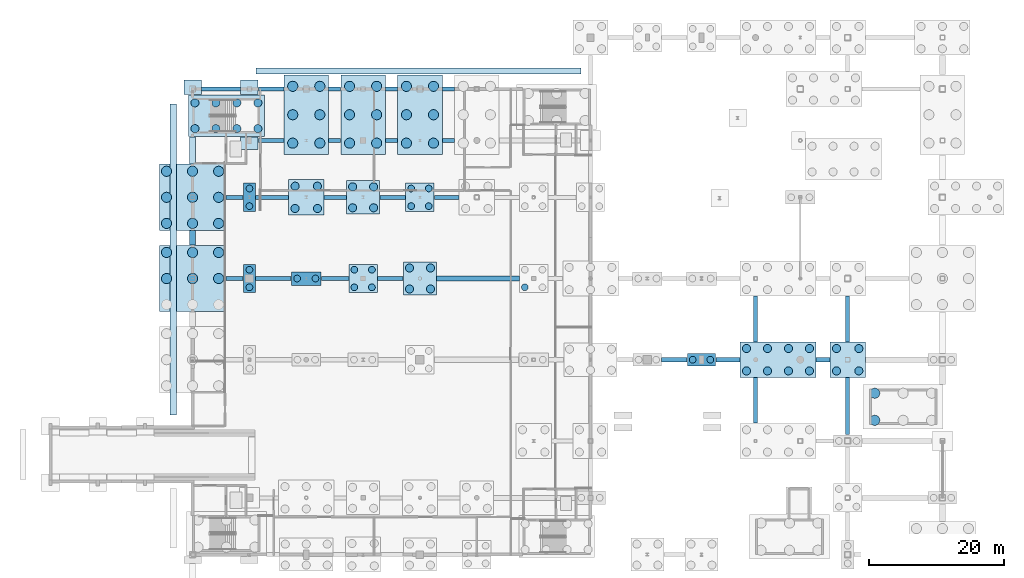
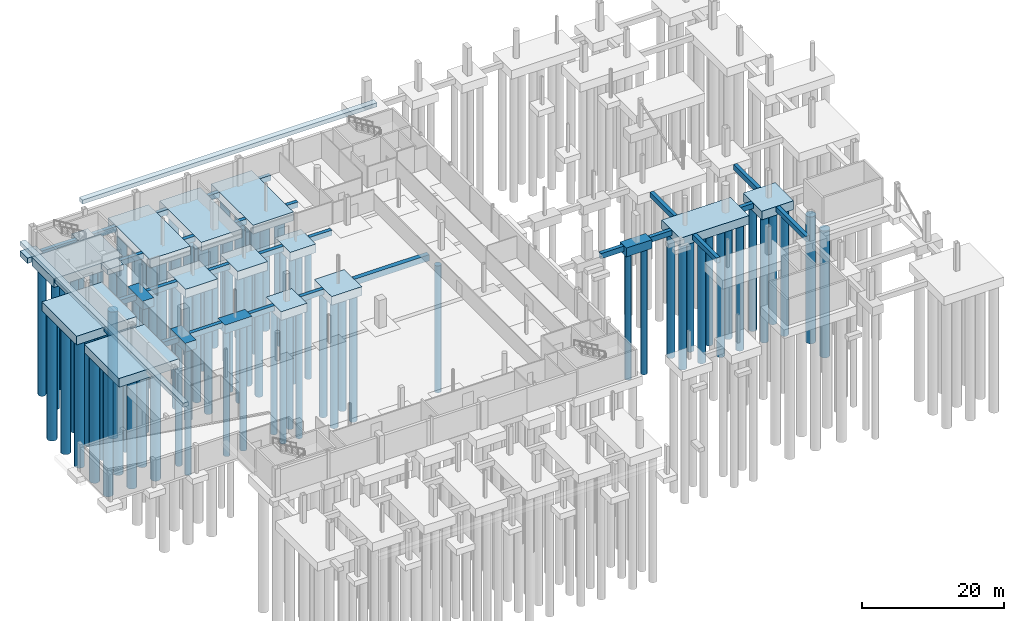
# One storey, part 3 of 34: 84 piles, 50 footings.
"""IFC4 building model written with IfcOpenShell, lengths in metres."""

from ifc_helpers import new_model, si_unit, direction, frame, origin, origin_2d, place, context, subcontext, project, spatial, rectangle, circle, extrude, material, material_profile, profile_set, type_object, element, save


model = new_model("IFC4")

# Units and contexts
model_context = context("Model", 3, precision=1e-05, world=origin(), true_north=direction((0.0, 1.0)))
body_context = subcontext(model_context, "Body", "Model", "MODEL_VIEW")
ifc_project = project(units=[si_unit("LENGTHUNIT", "METRE"), si_unit("AREAUNIT", "SQUARE_METRE"), si_unit("VOLUMEUNIT", "CUBIC_METRE"), si_unit("PLANEANGLEUNIT", "RADIAN"), si_unit("MASSUNIT", "GRAM", prefix="KILO")], contexts=[model_context])

# Site, building, storey
site_placement = place(None, origin())
site = spatial("IfcSite", under=ifc_project, at=site_placement, CompositionType="ELEMENT")
building_placement = place(site_placement, origin())
building = spatial("IfcBuilding", under=site, at=building_placement, Name="Larkvane Passage Sports Hall", CompositionType="ELEMENT")
storey_placement = place(building_placement, frame((0.0, 0.0, -4.800048828125)))
storey = spatial("IfcBuildingStorey", under=building, at=storey_placement, Name="B01", CompositionType="ELEMENT", Elevation=-4.800048828125)

# Footings
ifc_material = material(Name="Concrete C40/50", Category="concrete")
footing_type_1 = type_object("IfcFootingType", Name="CAP-2P-180x420", PredefinedType="PILE_CAP", material=ifc_material)
for number, where, z_axis, x_axis, name in (
    (1, (43.199951171875, 63.60009765625, -1.5), (0.0, 0.0, 1.0), (1.0, 0.0, 0.0), "Pile cap FDN5-CAP-7-H"),
    (2, (43.199951171875, 75.60009765625, -1.5), (0.0, 0.0, 1.0), (1.0, 0.0, 0.0), "Pile cap FDN5-CAP-7-J"),
):
    element("IfcFooting", number, at=place(storey_placement, frame(where, z_axis=z_axis, x_axis=x_axis)), inside=storey, type_object=footing_type_1, Name=name, PredefinedType="PILE_CAP", context=body_context, shape_type="SweptSolid", body=[
        extrude(rectangle(XDim=1.800048828125, YDim=4.199951171875, at=origin_2d()), origin(), (0.0, 0.0, 1.0), 1.5),
    ])
footing_type_2 = type_object("IfcFootingType", Name="CAP-2P-320x180", PredefinedType="PILE_CAP", material=ifc_material)
footing_1_placement = place(storey_placement, frame((110.0, 51.60009765625, -1.5), z_axis=(0.0, 0.0, 1.0), x_axis=(1.0, 0.0, 0.0)))
element("IfcFooting", 3, at=footing_1_placement, inside=storey, type_object=footing_type_2, Name="Pile cap FDN5-CAP-15-G", PredefinedType="PILE_CAP", context=body_context, shape_type="SweptSolid", body=[
    extrude(rectangle(XDim=4.199951171875, YDim=1.800048828125, at=origin_2d()), origin(), (0.0, 0.0, 1.0), 1.5),
])
footing_type_3 = type_object("IfcFootingType", Name="CAP-2P-360x200", PredefinedType="PILE_CAP", material=ifc_material)
footing_2_placement = place(storey_placement, frame((51.60009765625, 63.60009765625, -1.5), z_axis=(0.0, 0.0, 1.0), x_axis=(1.0, 0.0, 0.0)))
element("IfcFooting", 4, at=footing_2_placement, inside=storey, type_object=footing_type_3, Name="Pile cap FDN5-CAP-8-H", PredefinedType="PILE_CAP", context=body_context, shape_type="SweptSolid", body=[
    extrude(rectangle(XDim=4.39990234375, YDim=2.0, at=origin_2d()), origin(), (0.0, 0.0, 1.0), 1.5),
])
footing_type_4 = type_object("IfcFootingType", Name="CAP-4P-360x360", PredefinedType="PILE_CAP", material=ifc_material)
for number, where, z_axis, x_axis, name in (
    (5, (60.0, 63.60009765625, -1.5), (0.0, 0.0, 1.0), (1.0, 0.0, 0.0), "Pile cap FDN5-CAP-9-H"),
    (6, (68.39990234375, 75.60009765625, -1.5), (0.0, 0.0, 1.0), (1.0, 0.0, 0.0), "Pile cap FDN5-CAP-10-J"),
):
    element("IfcFooting", number, at=place(storey_placement, frame(where, z_axis=z_axis, x_axis=x_axis)), inside=storey, type_object=footing_type_4, Name=name, PredefinedType="PILE_CAP", context=body_context, shape_type="SweptSolid", body=[
        extrude(rectangle(XDim=4.199951171875, YDim=4.199951171875, at=origin_2d()), origin(), (0.0, 0.0, 1.0), 1.5),
    ])
footing_type_5 = type_object("IfcFootingType", Name="CAP-4P-400x400", PredefinedType="PILE_CAP", material=ifc_material)
for number, where, z_axis, x_axis, name in (
    (7, (60.0, 75.60009765625, -1.5), (0.0, 0.0, 1.0), (1.0, 0.0, 0.0), "Pile cap FDN5-CAP-9-J"),
    (8, (68.39990234375, 63.60009765625, -1.5), (0.0, 0.0, 1.0), (1.0, 0.0, 0.0), "Pile cap FDN5-CAP-10-H"),
):
    element("IfcFooting", number, at=place(storey_placement, frame(where, z_axis=z_axis, x_axis=x_axis)), inside=storey, type_object=footing_type_5, Name=name, PredefinedType="PILE_CAP", context=body_context, shape_type="SweptSolid", body=[
        extrude(rectangle(XDim=4.89990234375, YDim=4.89990234375, at=origin_2d()), origin(), (0.0, 0.0, 1.0), 1.5),
    ])
footing_type_6 = type_object("IfcFootingType", Name="CAP-4P-440x440", PredefinedType="PILE_CAP", material=ifc_material)
for number, where, z_axis, x_axis, name in (
    (9, (51.60009765625, 75.60009765625, -1.5), (0.0, 0.0, 1.0), (1.0, 0.0, 0.0), "Pile cap FDN5-CAP-8-J"),
    (10, (131.60009765625, 51.60009765625, -1.5), (0.0, 0.0, 1.0), (1.0, 0.0, 0.0), "Pile cap FDN5-CAP-18-G"),
):
    element("IfcFooting", number, at=place(storey_placement, frame(where, z_axis=z_axis, x_axis=x_axis)), inside=storey, type_object=footing_type_6, Name=name, PredefinedType="PILE_CAP", context=body_context, shape_type="SweptSolid", body=[
        extrude(rectangle(XDim=5.199951171875, YDim=5.199951171875, at=origin_2d()), origin(), (0.0, 0.0, 1.0), 1.5),
    ])
footing_type_7 = type_object("IfcFootingType", Name="CAP-9P-720x720", PredefinedType="PILE_CAP", material=ifc_material)
for number, where, z_axis, x_axis, name in (
    (11, (34.800048828125, 63.60009765625, -1.5), (0.0, 0.0, 1.0), (1.0, 0.0, 0.0), "Pile cap FDN5-CAP-6-H"),
    (12, (34.800048828125, 75.60009765625, -1.5), (0.0, 0.0, 1.0), (1.0, 0.0, 0.0), "Pile cap FDN5-CAP-6-J"),
):
    element("IfcFooting", number, at=place(storey_placement, frame(where, z_axis=z_axis, x_axis=x_axis)), inside=storey, type_object=footing_type_7, Name=name, PredefinedType="PILE_CAP", context=body_context, shape_type="SweptSolid", body=[
        extrude(rectangle(XDim=9.800048828125, YDim=9.800048828125, at=origin_2d()), origin(), (0.0, 0.0, 1.0), 1.5),
    ])
footing_type_8 = type_object("IfcFootingType", Name="CAP-COMB-X-1120x520", PredefinedType="PILE_CAP", material=ifc_material)
footing_3_placement = place(storey_placement, frame((121.300048828125, 51.60009765625, -1.5), z_axis=(0.0, 0.0, 1.0), x_axis=(1.0, 0.0, 0.0)))
element("IfcFooting", 13, at=footing_3_placement, inside=storey, type_object=footing_type_8, Name="Pile cap FDN5-CAP-1617-G", PredefinedType="PILE_CAP", context=body_context, shape_type="SweptSolid", body=[
    extrude(rectangle(XDim=11.199951171875, YDim=5.199951171875, at=origin_2d()), origin(), (0.0, 0.0, 1.0), 1.5),
])
footing_type_9 = type_object("IfcFootingType", Name="CAP-COMB-Y-660x1180", PredefinedType="PILE_CAP", material=ifc_material)
for number, where, z_axis, x_axis, name in (
    (14, (51.60009765625, 87.800048828125, -1.5), (0.0, 0.0, 1.0), (1.0, 0.0, 0.0), "Pile cap FDN5-CAP-8-KL"),
    (15, (60.0, 87.800048828125, -1.5), (0.0, 0.0, 1.0), (1.0, 0.0, 0.0), "Pile cap FDN5-CAP-9-KL"),
    (16, (68.39990234375, 87.800048828125, -1.5), (0.0, 0.0, 1.0), (1.0, 0.0, 0.0), "Pile cap FDN5-CAP-10-KL"),
):
    element("IfcFooting", number, at=place(storey_placement, frame(where, z_axis=z_axis, x_axis=x_axis)), inside=storey, type_object=footing_type_9, Name=name, PredefinedType="PILE_CAP", context=body_context, shape_type="SweptSolid", body=[
        extrude(rectangle(XDim=6.60009765625, YDim=11.800048828125, at=origin_2d()), origin(), (0.0, 0.0, 1.0), 1.5),
    ])
footing_type_10 = type_object("IfcFootingType", Name="CAP-CORE-1120x620", PredefinedType="PILE_CAP", material=ifc_material)
footing_4_placement = place(storey_placement, frame((39.800048828125, 87.64990234375, -1.5), z_axis=(0.0, 0.0, 1.0), x_axis=(1.0, 0.0, 0.0)))
element("IfcFooting", 17, at=footing_4_placement, inside=storey, type_object=footing_type_10, Name="Pile cap FDN5-CORE-C2", PredefinedType="PILE_CAP", context=body_context, shape_type="SweptSolid", body=[
    extrude(rectangle(XDim=11.199951171875, YDim=6.199951171875, at=origin_2d()), origin(), (0.0, 0.0, 1.0), 1.5),
])
footing_type_11 = type_object("IfcFootingType", Name="FBM-600x900", PredefinedType="FOOTING_BEAM", material=ifc_material)
footing_5_placement = place(storey_placement, frame((106.0, 51.60009765625, -0.89990234375), z_axis=(0.0, 0.0, 1.0), x_axis=(1.0, 0.0, 0.0)))
element("IfcFooting", 18, at=footing_5_placement, inside=storey, type_object=footing_type_11, Name="Ground tie beam G-035", PredefinedType="FOOTING_BEAM", context=body_context, shape_type="SweptSolid", body=[
    extrude(rectangle(XDim=3.760009765625, YDim=0.60009765625, at=origin_2d()), origin(), (0.0, 0.0, 1.0), 0.89990234375),
])
footing_6_placement = place(storey_placement, frame((113.89990234375, 51.60009765625, -0.89990234375), z_axis=(0.0, 0.0, 1.0), x_axis=(1.0, 0.0, 0.0)))
element("IfcFooting", 19, at=footing_6_placement, inside=storey, type_object=footing_type_11, Name="Ground tie beam G-036", PredefinedType="FOOTING_BEAM", context=body_context, shape_type="SweptSolid", body=[
    extrude(rectangle(XDim=3.56005859375, YDim=0.60009765625, at=origin_2d()), origin(), (0.0, 0.0, 1.0), 0.89990234375),
])
footing_7_placement = place(storey_placement, frame((127.949951171875, 51.60009765625, -0.89990234375), z_axis=(0.0, 0.0, 1.0), x_axis=(1.0, 0.0, 0.0)))
element("IfcFooting", 20, at=footing_7_placement, inside=storey, type_object=footing_type_11, Name="Ground tie beam G-037", PredefinedType="FOOTING_BEAM", context=body_context, shape_type="SweptSolid", body=[
    extrude(rectangle(XDim=2.06005859375, YDim=0.60009765625, at=origin_2d()), origin(), (0.0, 0.0, 1.0), 0.89990234375),
])
footing_8_placement = place(storey_placement, frame((41.0, 63.60009765625, -0.89990234375), z_axis=(0.0, 0.0, 1.0), x_axis=(1.0, 0.0, 0.0)))
element("IfcFooting", 21, at=footing_8_placement, inside=storey, type_object=footing_type_11, Name="Ground tie beam H-039", PredefinedType="FOOTING_BEAM", context=body_context, shape_type="SweptSolid", body=[
    extrude(rectangle(XDim=2.56005859375, YDim=0.60009765625, at=origin_2d()), origin(), (0.0, 0.0, 1.0), 0.89990234375),
])
footing_9_placement = place(storey_placement, frame((46.75, 63.60009765625, -0.89990234375), z_axis=(0.0, 0.0, 1.0), x_axis=(1.0, 0.0, 0.0)))
element("IfcFooting", 22, at=footing_9_placement, inside=storey, type_object=footing_type_11, Name="Ground tie beam H-040", PredefinedType="FOOTING_BEAM", context=body_context, shape_type="SweptSolid", body=[
    extrude(rectangle(XDim=5.260009765625, YDim=0.60009765625, at=origin_2d()), origin(), (0.0, 0.0, 1.0), 0.89990234375),
])
footing_10_placement = place(storey_placement, frame((55.85009765625, 63.60009765625, -0.89990234375), z_axis=(0.0, 0.0, 1.0), x_axis=(1.0, 0.0, 0.0)))
element("IfcFooting", 23, at=footing_10_placement, inside=storey, type_object=footing_type_11, Name="Ground tie beam H-041", PredefinedType="FOOTING_BEAM", context=body_context, shape_type="SweptSolid", body=[
    extrude(rectangle(XDim=4.06005859375, YDim=0.60009765625, at=origin_2d()), origin(), (0.0, 0.0, 1.0), 0.89990234375),
])
footing_11_placement = place(storey_placement, frame((64.02490234375, 63.60009765625, -0.89990234375), z_axis=(0.0, 0.0, 1.0), x_axis=(1.0, 0.0, 0.0)))
element("IfcFooting", 24, at=footing_11_placement, inside=storey, type_object=footing_type_11, Name="Ground tie beam H-042", PredefinedType="FOOTING_BEAM", context=body_context, shape_type="SweptSolid", body=[
    extrude(rectangle(XDim=3.81005859375, YDim=0.60009765625, at=origin_2d()), origin(), (0.0, 0.0, 1.0), 0.89990234375),
])
footing_12_placement = place(storey_placement, frame((41.0, 75.60009765625, -0.89990234375), z_axis=(0.0, 0.0, 1.0), x_axis=(1.0, 0.0, 0.0)))
element("IfcFooting", 25, at=footing_12_placement, inside=storey, type_object=footing_type_11, Name="Ground tie beam J-050", PredefinedType="FOOTING_BEAM", context=body_context, shape_type="SweptSolid", body=[
    extrude(rectangle(XDim=2.56005859375, YDim=0.60009765625, at=origin_2d()), origin(), (0.0, 0.0, 1.0), 0.89990234375),
])
footing_13_placement = place(storey_placement, frame((46.550048828125, 75.60009765625, -0.89990234375), z_axis=(0.0, 0.0, 1.0), x_axis=(1.0, 0.0, 0.0)))
element("IfcFooting", 26, at=footing_13_placement, inside=storey, type_object=footing_type_11, Name="Ground tie beam J-051", PredefinedType="FOOTING_BEAM", context=body_context, shape_type="SweptSolid", body=[
    extrude(rectangle(XDim=4.860107421875, YDim=0.60009765625, at=origin_2d()), origin(), (0.0, 0.0, 1.0), 0.89990234375),
])
footing_14_placement = place(storey_placement, frame((55.875, 75.60009765625, -0.89990234375), z_axis=(0.0, 0.0, 1.0), x_axis=(1.0, 0.0, 0.0)))
element("IfcFooting", 27, at=footing_14_placement, inside=storey, type_object=footing_type_11, Name="Ground tie beam J-052", PredefinedType="FOOTING_BEAM", context=body_context, shape_type="SweptSolid", body=[
    extrude(rectangle(XDim=3.31005859375, YDim=0.60009765625, at=origin_2d()), origin(), (0.0, 0.0, 1.0), 0.89990234375),
])
footing_15_placement = place(storey_placement, frame((64.375, 75.60009765625, -0.89990234375), z_axis=(0.0, 0.0, 1.0), x_axis=(1.0, 0.0, 0.0)))
element("IfcFooting", 28, at=footing_15_placement, inside=storey, type_object=footing_type_11, Name="Ground tie beam J-053", PredefinedType="FOOTING_BEAM", context=body_context, shape_type="SweptSolid", body=[
    extrude(rectangle(XDim=3.81005859375, YDim=0.60009765625, at=origin_2d()), origin(), (0.0, 0.0, 1.0), 0.89990234375),
])
footing_16_placement = place(storey_placement, frame((72.35009765625, 75.60009765625, -0.89990234375), z_axis=(0.0, 0.0, 1.0), x_axis=(1.0, 0.0, 0.0)))
element("IfcFooting", 29, at=footing_16_placement, inside=storey, type_object=footing_type_11, Name="Ground tie beam J-054", PredefinedType="FOOTING_BEAM", context=body_context, shape_type="SweptSolid", body=[
    extrude(rectangle(XDim=3.659912109375, YDim=0.60009765625, at=origin_2d()), origin(), (0.0, 0.0, 1.0), 0.89990234375),
])
footing_17_placement = place(storey_placement, frame((46.39990234375, 84.0, -0.89990234375), z_axis=(0.0, 0.0, 1.0), x_axis=(1.0, 0.0, 0.0)))
element("IfcFooting", 30, at=footing_17_placement, inside=storey, type_object=footing_type_11, Name="Ground tie beam K-057", PredefinedType="FOOTING_BEAM", context=body_context, shape_type="SweptSolid", body=[
    extrude(rectangle(XDim=3.760009765625, YDim=0.60009765625, at=origin_2d()), origin(), (0.0, 0.0, 1.0), 0.89990234375),
])
for number, where, z_axis, x_axis, name in (
    (31, (55.800048828125, 84.0, -0.89990234375), (0.0, 0.0, 1.0), (1.0, 0.0, 0.0), "Ground tie beam K-058"),
    (32, (64.199951171875, 84.0, -0.89990234375), (0.0, 0.0, 1.0), (1.0, 0.0, 0.0), "Ground tie beam K-059"),
    (33, (72.60009765625, 84.0, -0.89990234375), (0.0, 0.0, 1.0), (1.0, 0.0, 0.0), "Ground tie beam K-060"),
):
    element("IfcFooting", number, at=place(storey_placement, frame(where, z_axis=z_axis, x_axis=x_axis)), inside=storey, type_object=footing_type_11, Name=name, PredefinedType="FOOTING_BEAM", context=body_context, shape_type="SweptSolid", body=[
        extrude(rectangle(XDim=1.760009765625, YDim=0.60009765625, at=origin_2d()), origin(), (0.0, 0.0, 1.0), 0.89990234375),
    ])
footing_18_placement = place(storey_placement, frame((39.0, 91.60009765625, -0.89990234375), z_axis=(0.0, 0.0, 1.0), x_axis=(1.0, 0.0, 0.0)))
element("IfcFooting", 34, at=footing_18_placement, inside=storey, type_object=footing_type_11, Name="Ground tie beam L-062", PredefinedType="FOOTING_BEAM", context=body_context, shape_type="SweptSolid", body=[
    extrude(rectangle(XDim=5.760009765625, YDim=0.60009765625, at=origin_2d()), origin(), (0.0, 0.0, 1.0), 0.89990234375),
])
footing_19_placement = place(storey_placement, frame((46.39990234375, 91.60009765625, -0.89990234375), z_axis=(0.0, 0.0, 1.0), x_axis=(1.0, 0.0, 0.0)))
element("IfcFooting", 35, at=footing_19_placement, inside=storey, type_object=footing_type_11, Name="Ground tie beam L-063", PredefinedType="FOOTING_BEAM", context=body_context, shape_type="SweptSolid", body=[
    extrude(rectangle(XDim=3.760009765625, YDim=0.60009765625, at=origin_2d()), origin(), (0.0, 0.0, 1.0), 0.89990234375),
])
for number, where, z_axis, x_axis, name in (
    (36, (55.800048828125, 91.60009765625, -0.89990234375), (0.0, 0.0, 1.0), (1.0, 0.0, 0.0), "Ground tie beam L-064"),
    (37, (64.199951171875, 91.60009765625, -0.89990234375), (0.0, 0.0, 1.0), (1.0, 0.0, 0.0), "Ground tie beam L-065"),
    (38, (72.60009765625, 91.60009765625, -0.89990234375), (0.0, 0.0, 1.0), (1.0, 0.0, 0.0), "Ground tie beam L-066"),
):
    element("IfcFooting", number, at=place(storey_placement, frame(where, z_axis=z_axis, x_axis=x_axis)), inside=storey, type_object=footing_type_11, Name=name, PredefinedType="FOOTING_BEAM", context=body_context, shape_type="SweptSolid", body=[
        extrude(rectangle(XDim=1.760009765625, YDim=0.60009765625, at=origin_2d()), origin(), (0.0, 0.0, 1.0), 0.89990234375),
    ])
for number, where, z_axis, x_axis, name in (
    (39, (118.0, 45.60009765625, -0.89990234375), (0.0, 0.0, 1.0), (1.0, 0.0, 0.0), "Foundation tie footing 16-083"),
    (40, (118.0, 57.60009765625, -0.89990234375), (0.0, 0.0, 1.0), (1.0, 0.0, 0.0), "Foundation tie footing 16-084"),
):
    element("IfcFooting", number, at=place(storey_placement, frame(where, z_axis=z_axis, x_axis=x_axis)), inside=storey, type_object=footing_type_11, Name=name, PredefinedType="FOOTING_BEAM", context=body_context, shape_type="SweptSolid", body=[
        extrude(rectangle(XDim=0.60009765625, YDim=6.760009765625, at=origin_2d()), origin(), (0.0, 0.0, 1.0), 0.89990234375),
    ])
footing_20_placement = place(storey_placement, frame((131.60009765625, 44.75, -0.89990234375), z_axis=(0.0, 0.0, 1.0), x_axis=(1.0, 0.0, 0.0)))
element("IfcFooting", 41, at=footing_20_placement, inside=storey, type_object=footing_type_11, Name="Foundation tie footing 18-087", PredefinedType="FOOTING_BEAM", context=body_context, shape_type="SweptSolid", body=[
    extrude(rectangle(XDim=0.60009765625, YDim=8.4599609375, at=origin_2d()), origin(), (0.0, 0.0, 1.0), 0.89990234375),
])
footing_21_placement = place(storey_placement, frame((131.60009765625, 57.60009765625, -0.89990234375), z_axis=(0.0, 0.0, 1.0), x_axis=(1.0, 0.0, 0.0)))
element("IfcFooting", 42, at=footing_21_placement, inside=storey, type_object=footing_type_11, Name="Foundation tie footing 18-088", PredefinedType="FOOTING_BEAM", context=body_context, shape_type="SweptSolid", body=[
    extrude(rectangle(XDim=0.60009765625, YDim=6.760009765625, at=origin_2d()), origin(), (0.0, 0.0, 1.0), 0.89990234375),
])
footing_type_12 = type_object("IfcFootingType", Name="FBM-750x1050", PredefinedType="FOOTING_BEAM", material=ifc_material)
footing_22_placement = place(storey_placement, frame((76.97509765625, 63.60009765625, -1.0498046875), z_axis=(0.0, 0.0, 1.0), x_axis=(1.0, 0.0, 0.0)))
element("IfcFooting", 43, at=footing_22_placement, inside=storey, type_object=footing_type_12, Name="Ground tie beam H-043", PredefinedType="FOOTING_BEAM", context=body_context, shape_type="SweptSolid", body=[
    extrude(rectangle(XDim=12.2099609375, YDim=0.75, at=origin_2d()), origin(), (0.0, 0.0, 1.0), 1.050048828125),
])
footing_type_13 = type_object("IfcFootingType", Name="PAD-220x220x90", PredefinedType="PAD_FOOTING", material=ifc_material)
footing_23_placement = place(storey_placement, frame((34.800048828125, 91.844970703125, -0.89990234375), z_axis=(0.0, 0.0, 1.0), x_axis=(1.0, 0.0, 0.0)))
element("IfcFooting", 44, at=footing_23_placement, inside=storey, type_object=footing_type_13, Name="Tailored pad footing FDN5-CAP-6-L", PredefinedType="PAD_FOOTING", context=body_context, shape_type="SweptSolid", body=[
    extrude(rectangle(XDim=2.60009765625, YDim=2.110107421875, at=origin_2d()), origin(), (0.0, 0.0, 1.0), 0.89990234375),
])
footing_24_placement = place(storey_placement, frame((43.199951171875, 83.60498046875, -0.89990234375), z_axis=(0.0, 0.0, 1.0), x_axis=(1.0, 0.0, 0.0)))
element("IfcFooting", 45, at=footing_24_placement, inside=storey, type_object=footing_type_13, Name="Tailored pad footing FDN5-CAP-7-K", PredefinedType="PAD_FOOTING", context=body_context, shape_type="SweptSolid", body=[
    extrude(rectangle(XDim=2.60009765625, YDim=1.81005859375, at=origin_2d()), origin(), (0.0, 0.0, 1.0), 0.89990234375),
])
footing_25_placement = place(storey_placement, frame((43.199951171875, 91.844970703125, -0.89990234375), z_axis=(0.0, 0.0, 1.0), x_axis=(1.0, 0.0, 0.0)))
element("IfcFooting", 46, at=footing_25_placement, inside=storey, type_object=footing_type_13, Name="Tailored pad footing FDN5-CAP-7-L", PredefinedType="PAD_FOOTING", context=body_context, shape_type="SweptSolid", body=[
    extrude(rectangle(XDim=2.60009765625, YDim=2.110107421875, at=origin_2d()), origin(), (0.0, 0.0, 1.0), 0.89990234375),
])

# Piles
ifc_material_profile_1 = material_profile(ifc_material, circle(Radius=0.5, at=origin_2d()), Name="PILE-D1000")
ifc_profile_set_1 = profile_set([ifc_material_profile_1], Name="Concrete C40/50")
pile_type_1 = type_object("IfcPileType", Name="PIL-BORED-D1000", PredefinedType="BORED", material=ifc_profile_set_1)
for number, where, z_axis, x_axis, name in (
    (47, (43.199951171875, 62.300048828125, -1.349853515625), (0.0, 0.0, -1.0), (1.0, 0.0, 0.0), "Bored pile FDN5-CAP-7-H-P01"),
    (48, (43.199951171875, 64.89990234375, -1.349853515625), (0.0, 0.0, -1.0), (1.0, 0.0, 0.0), "Bored pile FDN5-CAP-7-H-P02"),
    (49, (43.199951171875, 74.300048828125, -1.349853515625), (0.0, 0.0, -1.0), (1.0, 0.0, 0.0), "Bored pile FDN5-CAP-7-J-P01"),
    (50, (43.199951171875, 76.89990234375, -1.349853515625), (0.0, 0.0, -1.0), (1.0, 0.0, 0.0), "Bored pile FDN5-CAP-7-J-P02"),
    (51, (50.25, 63.60009765625, -1.349853515625), (0.0, 0.0, -1.0), (1.0, 0.0, 0.0), "Bored pile FDN5-CAP-8-H-P01"),
    (52, (52.949951171875, 63.60009765625, -1.349853515625), (0.0, 0.0, -1.0), (1.0, 0.0, 0.0), "Bored pile FDN5-CAP-8-H-P02"),
    (53, (58.699951171875, 62.300048828125, -1.349853515625), (0.0, 0.0, -1.0), (1.0, 0.0, 0.0), "Bored pile FDN5-CAP-9-H-P01"),
    (54, (61.300048828125, 62.300048828125, -1.349853515625), (0.0, 0.0, -1.0), (1.0, 0.0, 0.0), "Bored pile FDN5-CAP-9-H-P02"),
    (55, (58.699951171875, 64.89990234375, -1.349853515625), (0.0, 0.0, -1.0), (1.0, 0.0, 0.0), "Bored pile FDN5-CAP-9-H-P03"),
    (56, (61.300048828125, 64.89990234375, -1.349853515625), (0.0, 0.0, -1.0), (1.0, 0.0, 0.0), "Bored pile FDN5-CAP-9-H-P04"),
    (57, (67.10009765625, 74.300048828125, -1.349853515625), (0.0, 0.0, -1.0), (1.0, 0.0, 0.0), "Bored pile FDN5-CAP-10-J-P01"),
    (58, (69.699951171875, 74.300048828125, -1.349853515625), (0.0, 0.0, -1.0), (1.0, 0.0, 0.0), "Bored pile FDN5-CAP-10-J-P02"),
    (59, (67.10009765625, 76.89990234375, -1.349853515625), (0.0, 0.0, -1.0), (1.0, 0.0, 0.0), "Bored pile FDN5-CAP-10-J-P03"),
    (60, (69.699951171875, 76.89990234375, -1.349853515625), (0.0, 0.0, -1.0), (1.0, 0.0, 0.0), "Bored pile FDN5-CAP-10-J-P04"),
    (61, (83.89990234375, 62.300048828125, -1.349853515625), (0.0, 0.0, -1.0), (1.0, 0.0, 0.0), "Bored pile FDN5-CAP-12-H-P01"),
    (62, (108.699951171875, 51.60009765625, -1.349853515625), (0.0, 0.0, -1.0), (1.0, 0.0, 0.0), "Bored pile FDN5-CAP-15-G-P01"),
    (63, (111.300048828125, 51.60009765625, -1.349853515625), (0.0, 0.0, -1.0), (1.0, 0.0, 0.0), "Bored pile FDN5-CAP-15-G-P02"),
):
    element("IfcPile", number, at=place(storey_placement, frame(where, z_axis=z_axis, x_axis=x_axis)), inside=storey, type_object=pile_type_1, Name=name, PredefinedType="BORED", context=body_context, shape_type="SweptSolid", body=[
        extrude(circle(Radius=0.5, at=origin_2d()), origin(), (0.0, 0.0, 1.0), 21.85009765625),
    ])
ifc_material_profile_2 = material_profile(ifc_material, circle(Radius=0.60009765625, at=origin_2d()), Name="PILE-D1200")
ifc_profile_set_2 = profile_set([ifc_material_profile_2], Name="Concrete C40/50")
pile_type_2 = type_object("IfcPileType", Name="PIL-BORED-D1200", PredefinedType="BORED", material=ifc_profile_set_2)
for number, where, z_axis, x_axis, name in (
    (64, (35.14990234375, 85.75, -1.349853515625), (0.0, 0.0, -1.0), (1.0, 0.0, 0.0), "Bored pile FDN5-CORE-C2-P01"),
    (65, (35.14990234375, 89.550048828125, -1.349853515625), (0.0, 0.0, -1.0), (1.0, 0.0, 0.0), "Bored pile FDN5-CORE-C2-P02"),
    (66, (38.25, 85.75, -1.349853515625), (0.0, 0.0, -1.0), (1.0, 0.0, 0.0), "Bored pile FDN5-CORE-C2-P03"),
    (67, (38.25, 89.550048828125, -1.349853515625), (0.0, 0.0, -1.0), (1.0, 0.0, 0.0), "Bored pile FDN5-CORE-C2-P04"),
    (68, (41.35009765625, 85.75, -1.349853515625), (0.0, 0.0, -1.0), (1.0, 0.0, 0.0), "Bored pile FDN5-CORE-C2-P05"),
    (69, (41.35009765625, 89.550048828125, -1.349853515625), (0.0, 0.0, -1.0), (1.0, 0.0, 0.0), "Bored pile FDN5-CORE-C2-P06"),
    (70, (44.449951171875, 85.75, -1.349853515625), (0.0, 0.0, -1.0), (1.0, 0.0, 0.0), "Bored pile FDN5-CORE-C2-P07"),
    (71, (44.449951171875, 89.550048828125, -1.349853515625), (0.0, 0.0, -1.0), (1.0, 0.0, 0.0), "Bored pile FDN5-CORE-C2-P08"),
    (72, (116.64990234375, 49.949951171875, -1.349853515625), (0.0, 0.0, -1.0), (1.0, 0.0, 0.0), "Bored pile FDN5-CAP-1617-G-P01"),
    (73, (116.64990234375, 53.25, -1.349853515625), (0.0, 0.0, -1.0), (1.0, 0.0, 0.0), "Bored pile FDN5-CAP-1617-G-P02"),
    (74, (119.75, 49.949951171875, -1.349853515625), (0.0, 0.0, -1.0), (1.0, 0.0, 0.0), "Bored pile FDN5-CAP-1617-G-P03"),
    (75, (119.75, 53.25, -1.349853515625), (0.0, 0.0, -1.0), (1.0, 0.0, 0.0), "Bored pile FDN5-CAP-1617-G-P04"),
    (76, (122.85009765625, 49.949951171875, -1.349853515625), (0.0, 0.0, -1.0), (1.0, 0.0, 0.0), "Bored pile FDN5-CAP-1617-G-P05"),
    (77, (122.85009765625, 53.25, -1.349853515625), (0.0, 0.0, -1.0), (1.0, 0.0, 0.0), "Bored pile FDN5-CAP-1617-G-P06"),
    (78, (125.949951171875, 49.949951171875, -1.349853515625), (0.0, 0.0, -1.0), (1.0, 0.0, 0.0), "Bored pile FDN5-CAP-1617-G-P07"),
    (79, (125.949951171875, 53.25, -1.349853515625), (0.0, 0.0, -1.0), (1.0, 0.0, 0.0), "Bored pile FDN5-CAP-1617-G-P08"),
    (80, (49.949951171875, 73.949951171875, -1.349853515625), (0.0, 0.0, -1.0), (1.0, 0.0, 0.0), "Bored pile FDN5-CAP-8-J-P01"),
    (81, (53.25, 73.949951171875, -1.349853515625), (0.0, 0.0, -1.0), (1.0, 0.0, 0.0), "Bored pile FDN5-CAP-8-J-P02"),
    (82, (49.949951171875, 77.25, -1.349853515625), (0.0, 0.0, -1.0), (1.0, 0.0, 0.0), "Bored pile FDN5-CAP-8-J-P03"),
    (83, (53.25, 77.25, -1.349853515625), (0.0, 0.0, -1.0), (1.0, 0.0, 0.0), "Bored pile FDN5-CAP-8-J-P04"),
    (84, (58.449951171875, 74.050048828125, -1.349853515625), (0.0, 0.0, -1.0), (1.0, 0.0, 0.0), "Bored pile FDN5-CAP-9-J-P01"),
    (85, (61.550048828125, 74.050048828125, -1.349853515625), (0.0, 0.0, -1.0), (1.0, 0.0, 0.0), "Bored pile FDN5-CAP-9-J-P02"),
    (86, (58.449951171875, 77.14990234375, -1.349853515625), (0.0, 0.0, -1.0), (1.0, 0.0, 0.0), "Bored pile FDN5-CAP-9-J-P03"),
    (87, (61.550048828125, 77.14990234375, -1.349853515625), (0.0, 0.0, -1.0), (1.0, 0.0, 0.0), "Bored pile FDN5-CAP-9-J-P04"),
    (88, (66.85009765625, 62.050048828125, -1.349853515625), (0.0, 0.0, -1.0), (1.0, 0.0, 0.0), "Bored pile FDN5-CAP-10-H-P01"),
    (89, (69.949951171875, 62.050048828125, -1.349853515625), (0.0, 0.0, -1.0), (1.0, 0.0, 0.0), "Bored pile FDN5-CAP-10-H-P02"),
    (90, (66.85009765625, 65.14990234375, -1.349853515625), (0.0, 0.0, -1.0), (1.0, 0.0, 0.0), "Bored pile FDN5-CAP-10-H-P03"),
    (91, (69.949951171875, 65.14990234375, -1.349853515625), (0.0, 0.0, -1.0), (1.0, 0.0, 0.0), "Bored pile FDN5-CAP-10-H-P04"),
    (92, (129.949951171875, 49.949951171875, -1.349853515625), (0.0, 0.0, -1.0), (1.0, 0.0, 0.0), "Bored pile FDN5-CAP-18-G-P01"),
    (93, (133.25, 49.949951171875, -1.349853515625), (0.0, 0.0, -1.0), (1.0, 0.0, 0.0), "Bored pile FDN5-CAP-18-G-P02"),
    (94, (129.949951171875, 53.25, -1.349853515625), (0.0, 0.0, -1.0), (1.0, 0.0, 0.0), "Bored pile FDN5-CAP-18-G-P03"),
    (95, (133.25, 53.25, -1.349853515625), (0.0, 0.0, -1.0), (1.0, 0.0, 0.0), "Bored pile FDN5-CAP-18-G-P04"),
):
    element("IfcPile", number, at=place(storey_placement, frame(where, z_axis=z_axis, x_axis=x_axis)), inside=storey, type_object=pile_type_2, Name=name, PredefinedType="BORED", context=body_context, shape_type="SweptSolid", body=[
        extrude(circle(Radius=0.60009765625, at=origin_2d()), origin(), (0.0, 0.0, 1.0), 21.85009765625),
    ])
ifc_material_profile_3 = material_profile(ifc_material, circle(Radius=0.75, at=origin_2d()), Name="PILE-D1500")
ifc_profile_set_3 = profile_set([ifc_material_profile_3], Name="Concrete C40/50")
pile_type_3 = type_object("IfcPileType", Name="PIL-BORED-D1500", PredefinedType="BORED", material=ifc_profile_set_3)
for number, where, z_axis, x_axis, name in (
    (96, (135.60009765625, 42.64990234375, -1.349853515625), (0.0, 0.0, -1.0), (1.0, 0.0, 0.0), "Bored pile FDN5-CORE-C7-P01"),
    (97, (135.60009765625, 46.64990234375, -1.349853515625), (0.0, 0.0, -1.0), (1.0, 0.0, 0.0), "Bored pile FDN5-CORE-C7-P02"),
    (98, (49.60009765625, 83.60009765625, -1.349853515625), (0.0, 0.0, -1.0), (1.0, 0.0, 0.0), "Bored pile FDN5-CAP-8-KL-P01"),
    (99, (49.60009765625, 87.800048828125, -1.349853515625), (0.0, 0.0, -1.0), (1.0, 0.0, 0.0), "Bored pile FDN5-CAP-8-KL-P02"),
    (100, (49.60009765625, 92.0, -1.349853515625), (0.0, 0.0, -1.0), (1.0, 0.0, 0.0), "Bored pile FDN5-CAP-8-KL-P03"),
    (101, (53.60009765625, 83.60009765625, -1.349853515625), (0.0, 0.0, -1.0), (1.0, 0.0, 0.0), "Bored pile FDN5-CAP-8-KL-P04"),
    (102, (53.60009765625, 87.800048828125, -1.349853515625), (0.0, 0.0, -1.0), (1.0, 0.0, 0.0), "Bored pile FDN5-CAP-8-KL-P05"),
    (103, (53.60009765625, 92.0, -1.349853515625), (0.0, 0.0, -1.0), (1.0, 0.0, 0.0), "Bored pile FDN5-CAP-8-KL-P06"),
    (104, (58.0, 83.60009765625, -1.349853515625), (0.0, 0.0, -1.0), (1.0, 0.0, 0.0), "Bored pile FDN5-CAP-9-KL-P01"),
    (105, (58.0, 87.800048828125, -1.349853515625), (0.0, 0.0, -1.0), (1.0, 0.0, 0.0), "Bored pile FDN5-CAP-9-KL-P02"),
    (106, (58.0, 92.0, -1.349853515625), (0.0, 0.0, -1.0), (1.0, 0.0, 0.0), "Bored pile FDN5-CAP-9-KL-P03"),
    (107, (62.0, 83.60009765625, -1.349853515625), (0.0, 0.0, -1.0), (1.0, 0.0, 0.0), "Bored pile FDN5-CAP-9-KL-P04"),
    (108, (62.0, 87.800048828125, -1.349853515625), (0.0, 0.0, -1.0), (1.0, 0.0, 0.0), "Bored pile FDN5-CAP-9-KL-P05"),
    (109, (62.0, 92.0, -1.349853515625), (0.0, 0.0, -1.0), (1.0, 0.0, 0.0), "Bored pile FDN5-CAP-9-KL-P06"),
    (110, (66.39990234375, 83.60009765625, -1.349853515625), (0.0, 0.0, -1.0), (1.0, 0.0, 0.0), "Bored pile FDN5-CAP-10-KL-P01"),
    (111, (66.39990234375, 87.800048828125, -1.349853515625), (0.0, 0.0, -1.0), (1.0, 0.0, 0.0), "Bored pile FDN5-CAP-10-KL-P02"),
    (112, (66.39990234375, 92.0, -1.349853515625), (0.0, 0.0, -1.0), (1.0, 0.0, 0.0), "Bored pile FDN5-CAP-10-KL-P03"),
    (113, (70.39990234375, 83.60009765625, -1.349853515625), (0.0, 0.0, -1.0), (1.0, 0.0, 0.0), "Bored pile FDN5-CAP-10-KL-P04"),
    (114, (70.39990234375, 87.800048828125, -1.349853515625), (0.0, 0.0, -1.0), (1.0, 0.0, 0.0), "Bored pile FDN5-CAP-10-KL-P05"),
    (115, (70.39990234375, 92.0, -1.349853515625), (0.0, 0.0, -1.0), (1.0, 0.0, 0.0), "Bored pile FDN5-CAP-10-KL-P06"),
    (116, (30.949951171875, 63.60009765625, -1.349853515625), (0.0, 0.0, -1.0), (1.0, 0.0, 0.0), "Bored pile FDN5-CAP-6-H-P02"),
    (117, (30.949951171875, 67.449951171875, -1.349853515625), (0.0, 0.0, -1.0), (1.0, 0.0, 0.0), "Bored pile FDN5-CAP-6-H-P03"),
    (118, (34.800048828125, 63.60009765625, -1.349853515625), (0.0, 0.0, -1.0), (1.0, 0.0, 0.0), "Bored pile FDN5-CAP-6-H-P05"),
    (119, (34.800048828125, 67.449951171875, -1.349853515625), (0.0, 0.0, -1.0), (1.0, 0.0, 0.0), "Bored pile FDN5-CAP-6-H-P06"),
    (120, (38.64990234375, 63.60009765625, -1.349853515625), (0.0, 0.0, -1.0), (1.0, 0.0, 0.0), "Bored pile FDN5-CAP-6-H-P08"),
    (121, (38.64990234375, 67.449951171875, -1.349853515625), (0.0, 0.0, -1.0), (1.0, 0.0, 0.0), "Bored pile FDN5-CAP-6-H-P09"),
    (122, (30.949951171875, 71.75, -1.349853515625), (0.0, 0.0, -1.0), (1.0, 0.0, 0.0), "Bored pile FDN5-CAP-6-J-P01"),
    (123, (30.949951171875, 75.60009765625, -1.349853515625), (0.0, 0.0, -1.0), (1.0, 0.0, 0.0), "Bored pile FDN5-CAP-6-J-P02"),
    (124, (30.949951171875, 79.449951171875, -1.349853515625), (0.0, 0.0, -1.0), (1.0, 0.0, 0.0), "Bored pile FDN5-CAP-6-J-P03"),
    (125, (34.800048828125, 71.75, -1.349853515625), (0.0, 0.0, -1.0), (1.0, 0.0, 0.0), "Bored pile FDN5-CAP-6-J-P04"),
    (126, (34.800048828125, 75.60009765625, -1.349853515625), (0.0, 0.0, -1.0), (1.0, 0.0, 0.0), "Bored pile FDN5-CAP-6-J-P05"),
    (127, (34.800048828125, 79.449951171875, -1.349853515625), (0.0, 0.0, -1.0), (1.0, 0.0, 0.0), "Bored pile FDN5-CAP-6-J-P06"),
    (128, (38.64990234375, 71.75, -1.349853515625), (0.0, 0.0, -1.0), (1.0, 0.0, 0.0), "Bored pile FDN5-CAP-6-J-P07"),
    (129, (38.64990234375, 75.60009765625, -1.349853515625), (0.0, 0.0, -1.0), (1.0, 0.0, 0.0), "Bored pile FDN5-CAP-6-J-P08"),
    (130, (38.64990234375, 79.449951171875, -1.349853515625), (0.0, 0.0, -1.0), (1.0, 0.0, 0.0), "Bored pile FDN5-CAP-6-J-P09"),
):
    element("IfcPile", number, at=place(storey_placement, frame(where, z_axis=z_axis, x_axis=x_axis)), inside=storey, type_object=pile_type_3, Name=name, PredefinedType="BORED", context=body_context, shape_type="SweptSolid", body=[
        extrude(circle(Radius=0.75, at=origin_2d()), origin(), (0.0, 0.0, 1.0), 21.85009765625),
    ])

# Footings
footing_type_14 = type_object("IfcFootingType", Name="SFT-900x700", PredefinedType="STRIP_FOOTING", material=ifc_material)
footing_26_placement = place(storey_placement, frame((31.949951171875, 66.419921875, 3.72998046875), z_axis=(0.0, 0.0, 1.0), x_axis=(1.0, 0.0, 0.0)))
element("IfcFooting", 131, at=footing_26_placement, inside=storey, type_object=footing_type_14, Name="West north exit apron strip footing", PredefinedType="STRIP_FOOTING", context=body_context, shape_type="SweptSolid", body=[
    extrude(rectangle(XDim=0.89990234375, YDim=46.0, at=origin_2d()), origin(), (0.0, 0.0, 1.0), 0.699951171875),
])
footing_27_placement = place(storey_placement, frame((68.199951171875, 94.25, 3.72998046875), z_axis=(0.0, 0.0, 1.0), x_axis=(1.0, 0.0, 0.0)))
element("IfcFooting", 132, at=footing_27_placement, inside=storey, type_object=footing_type_14, Name="North exit threshold strip footing", PredefinedType="STRIP_FOOTING", context=body_context, shape_type="SweptSolid", body=[
    extrude(rectangle(XDim=48.0, YDim=0.89990234375, at=origin_2d()), origin(), (0.0, 0.0, 1.0), 0.699951171875),
])
footing_28_placement = place(storey_placement, frame((34.800048828125, 69.60009765625, -0.69970703125), z_axis=(0.0, 0.0, 1.0), x_axis=(1.0, 0.0, 0.0)))
element("IfcFooting", 133, at=footing_28_placement, inside=storey, type_object=footing_type_14, Name="Foundation tie footing 6-075", PredefinedType="STRIP_FOOTING", context=body_context, shape_type="SweptSolid", body=[
    extrude(rectangle(XDim=0.89990234375, YDim=2.159912109375, at=origin_2d()), origin(), (0.0, 0.0, 1.0), 0.699951171875),
])
footing_29_placement = place(storey_placement, frame((34.800048828125, 82.52490234375, -0.69970703125), z_axis=(0.0, 0.0, 1.0), x_axis=(1.0, 0.0, 0.0)))
element("IfcFooting", 134, at=footing_29_placement, inside=storey, type_object=footing_type_14, Name="Foundation tie footing 6-076", PredefinedType="STRIP_FOOTING", context=body_context, shape_type="SweptSolid", body=[
    extrude(rectangle(XDim=0.89990234375, YDim=4.010009765625, at=origin_2d()), origin(), (0.0, 0.0, 1.0), 0.699951171875),
])

save(model, "model.ifc")
